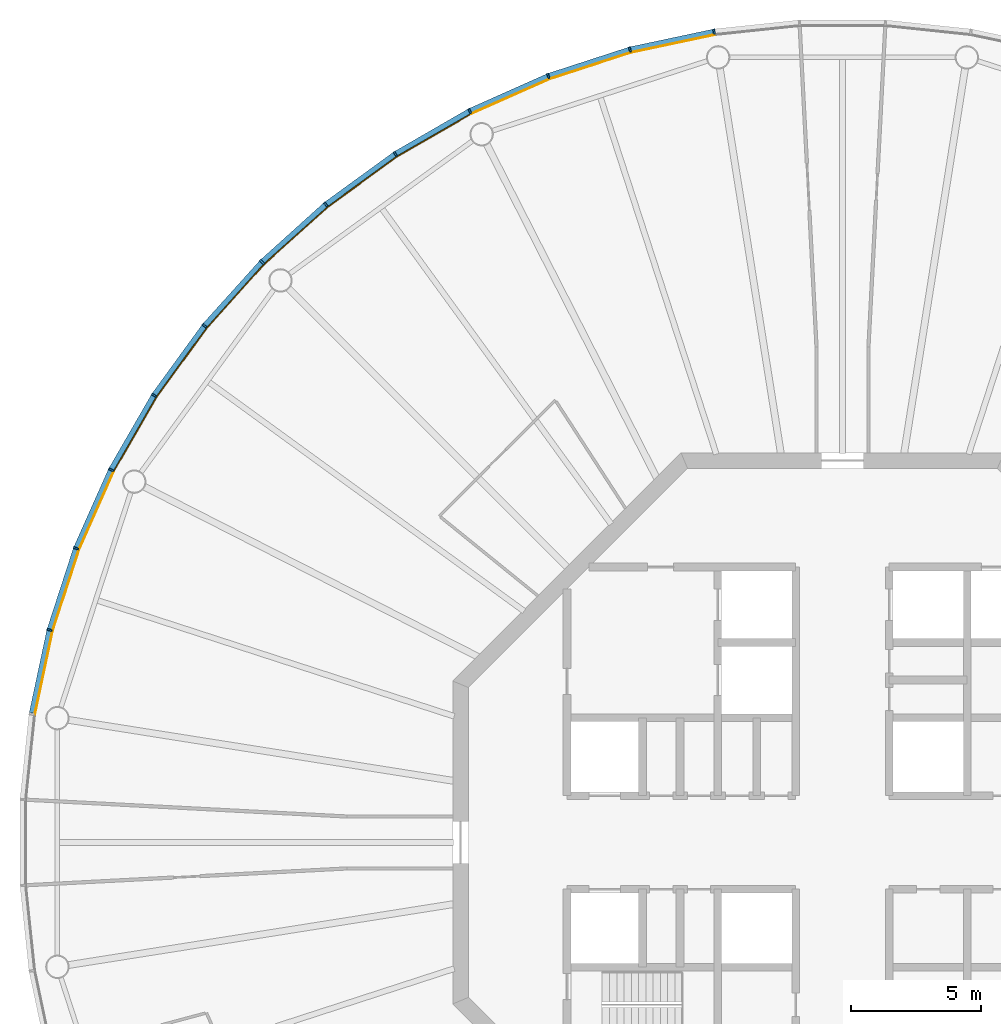
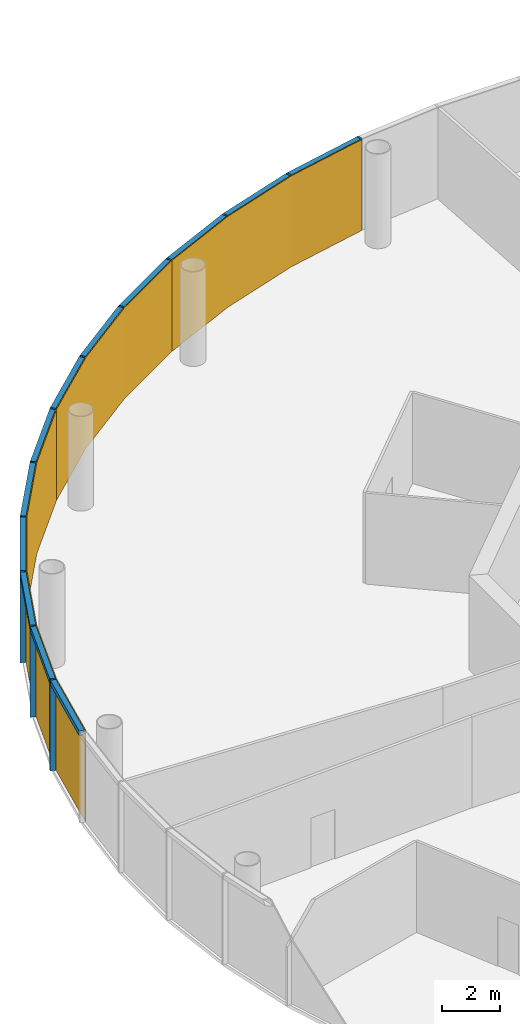
# One storey, part 10 of 13: 24 members, 4 curtain walls.
"""IFC4 building model written with IfcOpenShell, lengths in metres."""

from ifc_helpers import new_model, si_unit, direction, frame, origin, origin_2d, place, context, subcontext, project, spatial, polyline, rectangle, outline, extrude, material, layer, layer_set, material_profile, profile_set, type_object, element, aggregate, save


model = new_model("IFC4")

# Units and contexts
model_context = context("Model", 3, precision=1e-05, world=origin(), true_north=direction((0.0, 1.0)))
body_context = subcontext(model_context, "Body", "Model", "MODEL_VIEW")
ifc_project = project(units=[si_unit("LENGTHUNIT", "METRE"), si_unit("AREAUNIT", "SQUARE_METRE"), si_unit("VOLUMEUNIT", "CUBIC_METRE"), si_unit("PLANEANGLEUNIT", "RADIAN"), si_unit("MASSUNIT", "GRAM", prefix="KILO")], contexts=[model_context])

# Member
ifc_material_1 = material(Name="Anodised aluminium", Category="aluminium")
ifc_material_profile_1 = material_profile(ifc_material_1, rectangle(XDim=0.070068359375, YDim=0.205078125, at=origin_2d()), Name="Mullion 70 x 205 mm anodised aluminium")
ifc_profile_set_1 = profile_set([ifc_material_profile_1], Name="Anodised aluminium")
member_type_1 = type_object("IfcMemberType", Name="Mullion 70 x 205 mm anodised aluminium", PredefinedType="MULLION", material=ifc_profile_set_1)
site_placement = place(None, origin())
building_placement = place(site_placement, origin())
storey_placement = place(building_placement, frame((0.0, 0.0, 376.0)))
member_1_placement = place(storey_placement, frame((85.056396484375, 111.21337890625, 0.0), z_axis=(0.0, 0.0, 1.0), x_axis=(-0.987688340595, -0.15643446504, 0.0)))
member_1 = element("IfcMember", 1, at=member_1_placement, type_object=member_type_1, Name="MULLION L87-15", PredefinedType="MULLION", context=body_context, shape_type="SweptSolid", body=[
    extrude(rectangle(XDim=0.070068359375, YDim=0.205078125, at=origin_2d()), origin(), (0.0, 0.0, 1.0), 3.85009765625),
])

member_2_placement = place(storey_placement, frame((81.820556640625, 110.525634765625, 0.0), z_axis=(0.0, 0.0, 1.0), x_axis=(-0.965925826289, -0.258819045103, 0.0)))
member_2 = element("IfcMember", 2, at=member_2_placement, type_object=member_type_1, Name="MULLION L87-16", PredefinedType="MULLION", context=body_context, shape_type="SweptSolid", body=[
    extrude(rectangle(XDim=0.070068359375, YDim=0.205078125, at=origin_2d()), origin(), (0.0, 0.0, 1.0), 3.85009765625),
])

member_3_placement = place(storey_placement, frame((78.674560546875, 109.50341796875, 0.0), z_axis=(0.0, 0.0, 1.0), x_axis=(-0.933580426497, -0.358367949545, 0.0)))
member_3 = element("IfcMember", 3, at=member_3_placement, type_object=member_type_1, Name="MULLION L87-17", PredefinedType="MULLION", context=body_context, shape_type="SweptSolid", body=[
    extrude(rectangle(XDim=0.070068359375, YDim=0.205078125, at=origin_2d()), origin(), (0.0, 0.0, 1.0), 3.85009765625),
])

member_4_placement = place(storey_placement, frame((75.65283203125, 108.157958984375, 0.0), z_axis=(0.0, 0.0, 1.0), x_axis=(-0.891006524188, -0.45399049974, 0.0)))
member_4 = element("IfcMember", 4, at=member_4_placement, type_object=member_type_1, Name="MULLION L87-18", PredefinedType="MULLION", context=body_context, shape_type="SweptSolid", body=[
    extrude(rectangle(XDim=0.070068359375, YDim=0.205078125, at=origin_2d()), origin(), (0.0, 0.0, 1.0), 3.85009765625),
])

member_5_placement = place(storey_placement, frame((72.7880859375, 106.504150390625, 0.0), z_axis=(0.0, 0.0, 1.0), x_axis=(-0.838670567945, -0.544639035015, 0.0)))
member_5 = element("IfcMember", 5, at=member_5_placement, type_object=member_type_1, Name="MULLION L87-19", PredefinedType="MULLION", context=body_context, shape_type="SweptSolid", body=[
    extrude(rectangle(XDim=0.070068359375, YDim=0.205078125, at=origin_2d()), origin(), (0.0, 0.0, 1.0), 3.85009765625),
])

member_6_placement = place(storey_placement, frame((70.11181640625, 104.559814453125, 0.0), z_axis=(0.0, 0.0, 1.0), x_axis=(-0.777145961457, -0.62932039105, 0.0)))
member_6 = element("IfcMember", 6, at=member_6_placement, type_object=member_type_1, Name="MULLION L87-20", PredefinedType="MULLION", context=body_context, shape_type="SweptSolid", body=[
    extrude(rectangle(XDim=0.070068359375, YDim=0.205078125, at=origin_2d()), origin(), (0.0, 0.0, 1.0), 3.85009765625),
])

member_7_placement = place(storey_placement, frame((67.653564453125, 102.346435546875, 0.0), z_axis=(0.0, 0.0, 1.0), x_axis=(-0.707106781187, -0.707106781187, 0.0)))
member_7 = element("IfcMember", 7, at=member_7_placement, type_object=member_type_1, Name="MULLION L87-21", PredefinedType="MULLION", context=body_context, shape_type="SweptSolid", body=[
    extrude(rectangle(XDim=0.070068359375, YDim=0.205078125, at=origin_2d()), origin(), (0.0, 0.0, 1.0), 3.85009765625),
])

member_8_placement = place(storey_placement, frame((65.440185546875, 99.88818359375, 0.0), z_axis=(0.0, 0.0, 1.0), x_axis=(-0.62932039105, -0.777145961457, 0.0)))
member_8 = element("IfcMember", 8, at=member_8_placement, type_object=member_type_1, Name="MULLION L87-22", PredefinedType="MULLION", context=body_context, shape_type="SweptSolid", body=[
    extrude(rectangle(XDim=0.070068359375, YDim=0.205078125, at=origin_2d()), origin(), (0.0, 0.0, 1.0), 3.85009765625),
])

member_9_placement = place(storey_placement, frame((63.495849609375, 97.2119140625, 0.0), z_axis=(0.0, 0.0, 1.0), x_axis=(-0.544639035015, -0.838670567945, 0.0)))
member_9 = element("IfcMember", 9, at=member_9_placement, type_object=member_type_1, Name="MULLION L87-23", PredefinedType="MULLION", context=body_context, shape_type="SweptSolid", body=[
    extrude(rectangle(XDim=0.070068359375, YDim=0.205078125, at=origin_2d()), origin(), (0.0, 0.0, 1.0), 3.85009765625),
])

member_10_placement = place(storey_placement, frame((61.842041015625, 94.34716796875, 0.0), z_axis=(0.0, 0.0, 1.0), x_axis=(-0.45399049974, -0.891006524188, 0.0)))
member_10 = element("IfcMember", 10, at=member_10_placement, type_object=member_type_1, Name="MULLION L87-24", PredefinedType="MULLION", context=body_context, shape_type="SweptSolid", body=[
    extrude(rectangle(XDim=0.070068359375, YDim=0.205078125, at=origin_2d()), origin(), (0.0, 0.0, 1.0), 3.85009765625),
])

member_11_placement = place(storey_placement, frame((60.49658203125, 91.325439453125, 0.0), z_axis=(0.0, 0.0, 1.0), x_axis=(-0.358367949545, -0.933580426497, 0.0)))
member_11 = element("IfcMember", 11, at=member_11_placement, type_object=member_type_1, Name="MULLION L87-25", PredefinedType="MULLION", context=body_context, shape_type="SweptSolid", body=[
    extrude(rectangle(XDim=0.070068359375, YDim=0.205078125, at=origin_2d()), origin(), (0.0, 0.0, 1.0), 3.85009765625),
])

member_12_placement = place(storey_placement, frame((59.474365234375, 88.179443359375, 0.0), z_axis=(0.0, 0.0, 1.0), x_axis=(-0.258819045103, -0.965925826289, 0.0)))
member_12 = element("IfcMember", 12, at=member_12_placement, type_object=member_type_1, Name="MULLION L87-26", PredefinedType="MULLION", context=body_context, shape_type="SweptSolid", body=[
    extrude(rectangle(XDim=0.070068359375, YDim=0.205078125, at=origin_2d()), origin(), (0.0, 0.0, 1.0), 3.85009765625),
])

ifc_material_2 = material(Name="Anodised aluminium", Category="aluminium")
ifc_material_profile_2 = material_profile(ifc_material_2, rectangle(XDim=0.205078125, YDim=0.195068359375, at=origin_2d()), Name="Transom 195 x 205 mm anodised aluminium")
ifc_profile_set_2 = profile_set([ifc_material_profile_2], Name="Anodised aluminium")
member_type_2 = type_object("IfcMemberType", Name="Transom 195 x 205 mm anodised aluminium", PredefinedType="USERDEFINED", material=ifc_profile_set_2)
member_13_placement = place(storey_placement, frame((85.016845703125, 111.205078125, 3.75244140625), z_axis=(-0.978153082647, -0.207885898771, 0.0), x_axis=(0.207885898771, -0.978153082647, 0.0)))
member_13 = element("IfcMember", 13, at=member_13_placement, type_object=member_type_2, Name="TRANSOM L87-15", ObjectType="TRANSOM", PredefinedType="USERDEFINED", context=body_context, shape_type="SweptSolid", body=[
    extrude(rectangle(XDim=0.205078125, YDim=0.195068359375, at=origin_2d()), origin(), (0.0, 0.0, 1.0), 3.227294921875),
])

member_14_placement = place(storey_placement, frame((81.7822265625, 110.513427734375, 3.75244140625), z_axis=(-0.951046855117, -0.309046726844, 0.0), x_axis=(0.309046726844, -0.951046855117, 0.0)))
member_14 = element("IfcMember", 14, at=member_14_placement, type_object=member_type_2, Name="TRANSOM L87-16", ObjectType="TRANSOM", PredefinedType="USERDEFINED", context=body_context, shape_type="SweptSolid", body=[
    extrude(rectangle(XDim=0.205078125, YDim=0.195068359375, at=origin_2d()), origin(), (0.0, 0.0, 1.0), 3.22705078125),
])

member_15_placement = place(storey_placement, frame((78.6376953125, 109.4873046875, 3.75244140625), z_axis=(-0.913521178731, -0.406791170024, 0.0), x_axis=(0.406791170024, -0.913521178731, 0.0)))
member_15 = element("IfcMember", 15, at=member_15_placement, type_object=member_type_2, Name="TRANSOM L87-17", ObjectType="TRANSOM", PredefinedType="USERDEFINED", context=body_context, shape_type="SweptSolid", body=[
    extrude(rectangle(XDim=0.205078125, YDim=0.195068359375, at=origin_2d()), origin(), (0.0, 0.0, 1.0), 3.22705078125),
])

member_16_placement = place(storey_placement, frame((75.61767578125, 108.137939453125, 3.75244140625), z_axis=(-0.866023062494, -0.500004055213, 0.0), x_axis=(0.500004055213, -0.866023062494, 0.0)))
member_16 = element("IfcMember", 16, at=member_16_placement, type_object=member_type_2, Name="TRANSOM L87-18", ObjectType="TRANSOM", PredefinedType="USERDEFINED", context=body_context, shape_type="SweptSolid", body=[
    extrude(rectangle(XDim=0.205078125, YDim=0.195068359375, at=origin_2d()), origin(), (0.0, 0.0, 1.0), 3.22705078125),
])

member_17_placement = place(storey_placement, frame((72.75537109375, 106.48046875, 3.75244140625), z_axis=(-0.809004252048, -0.587802790201, 0.0), x_axis=(0.587802790201, -0.809004252048, 0.0)))
member_17 = element("IfcMember", 17, at=member_17_placement, type_object=member_type_2, Name="TRANSOM L87-19", ObjectType="TRANSOM", PredefinedType="USERDEFINED", context=body_context, shape_type="SweptSolid", body=[
    extrude(rectangle(XDim=0.205078125, YDim=0.195068359375, at=origin_2d()), origin(), (0.0, 0.0, 1.0), 3.227294921875),
])

member_18_placement = place(storey_placement, frame((70.081787109375, 104.532958984375, 3.75244140625), z_axis=(-0.743132370743, -0.669144438484, 0.0), x_axis=(0.669144438484, -0.743132370743, 0.0)))
member_18 = element("IfcMember", 18, at=member_18_placement, type_object=member_type_2, Name="TRANSOM L87-20", ObjectType="TRANSOM", PredefinedType="USERDEFINED", context=body_context, shape_type="SweptSolid", body=[
    extrude(rectangle(XDim=0.205078125, YDim=0.195068359375, at=origin_2d()), origin(), (0.0, 0.0, 1.0), 3.22705078125),
])

member_19_placement = place(storey_placement, frame((67.62646484375, 102.31640625, 3.75244140625), z_axis=(-0.669144438484, -0.743132370743, 0.0), x_axis=(0.743132370743, -0.669144438484, 0.0)))
member_19 = element("IfcMember", 19, at=member_19_placement, type_object=member_type_2, Name="TRANSOM L87-21", ObjectType="TRANSOM", PredefinedType="USERDEFINED", context=body_context, shape_type="SweptSolid", body=[
    extrude(rectangle(XDim=0.205078125, YDim=0.195068359375, at=origin_2d()), origin(), (0.0, 0.0, 1.0), 3.22705078125),
])

member_20_placement = place(storey_placement, frame((65.41650390625, 99.85546875, 3.75244140625), z_axis=(-0.587802790201, -0.809004252048, 0.0), x_axis=(0.809004252048, -0.587802790201, 0.0)))
member_20 = element("IfcMember", 20, at=member_20_placement, type_object=member_type_2, Name="TRANSOM L87-22", ObjectType="TRANSOM", PredefinedType="USERDEFINED", context=body_context, shape_type="SweptSolid", body=[
    extrude(rectangle(XDim=0.205078125, YDim=0.195068359375, at=origin_2d()), origin(), (0.0, 0.0, 1.0), 3.227294921875),
])

member_21_placement = place(storey_placement, frame((63.4755859375, 97.177001953125, 3.75244140625), z_axis=(-0.500004055213, -0.866023062494, 0.0), x_axis=(0.866023062494, -0.500004055213, 0.0)))
member_21 = element("IfcMember", 21, at=member_21_placement, type_object=member_type_2, Name="TRANSOM L87-23", ObjectType="TRANSOM", PredefinedType="USERDEFINED", context=body_context, shape_type="SweptSolid", body=[
    extrude(rectangle(XDim=0.205078125, YDim=0.195068359375, at=origin_2d()), origin(), (0.0, 0.0, 1.0), 3.22705078125),
])

member_22_placement = place(storey_placement, frame((61.825439453125, 94.310302734375, 3.75244140625), z_axis=(-0.406791170024, -0.913521178731, 0.0), x_axis=(0.913521178731, -0.406791170024, 0.0)))
member_22 = element("IfcMember", 22, at=member_22_placement, type_object=member_type_2, Name="TRANSOM L87-24", ObjectType="TRANSOM", PredefinedType="USERDEFINED", context=body_context, shape_type="SweptSolid", body=[
    extrude(rectangle(XDim=0.205078125, YDim=0.195068359375, at=origin_2d()), origin(), (0.0, 0.0, 1.0), 3.22705078125),
])

member_23_placement = place(storey_placement, frame((60.48388671875, 91.286865234375, 3.75244140625), z_axis=(-0.309046726844, -0.951046855117, 0.0), x_axis=(0.951046855117, -0.309046726844, 0.0)))
member_23 = element("IfcMember", 23, at=member_23_placement, type_object=member_type_2, Name="TRANSOM L87-25", ObjectType="TRANSOM", PredefinedType="USERDEFINED", context=body_context, shape_type="SweptSolid", body=[
    extrude(rectangle(XDim=0.205078125, YDim=0.195068359375, at=origin_2d()), origin(), (0.0, 0.0, 1.0), 3.22705078125),
])

member_24_placement = place(storey_placement, frame((59.4658203125, 88.139892578125, 3.75244140625), z_axis=(-0.207885898771, -0.978153082647, 0.0), x_axis=(0.978153082647, -0.207885898771, 0.0)))
member_24 = element("IfcMember", 24, at=member_24_placement, type_object=member_type_2, Name="TRANSOM L87-26", ObjectType="TRANSOM", PredefinedType="USERDEFINED", context=body_context, shape_type="SweptSolid", body=[
    extrude(rectangle(XDim=0.205078125, YDim=0.195068359375, at=origin_2d()), origin(), (0.0, 0.0, 1.0), 3.227294921875),
])

# Site, building, storey
site = spatial("IfcSite", under=ifc_project, at=site_placement, CompositionType="ELEMENT")
building = spatial("IfcBuilding", under=site, at=building_placement, Name="Entoto Ring Tower", CompositionType="ELEMENT")
storey = spatial("IfcBuildingStorey", under=building, at=storey_placement, Name="L87", CompositionType="ELEMENT", Elevation=376.0)

# Curtain wall
ifc_material_3 = material(Name="Clear low-iron glass", Category="glass")
ifc_layer = layer(ifc_material_3, 0.035888671875)
ifc_layer_set = layer_set([ifc_layer], Name="Clear low-iron glass")
curtain_wall_type = type_object("IfcCurtainWallType", Name="Curtain wall system CW6 glazing 36 mm", PredefinedType="NOTDEFINED", material=ifc_layer_set)
curtain_wall_1_placement = place(storey_placement, origin())
curtain_wall_1 = element("IfcCurtainWall", 25, at=curtain_wall_1_placement, inside=storey, type_object=curtain_wall_type, Name="CW6 L87-06", PredefinedType="NOTDEFINED", context=body_context, shape_type="SweptSolid", body=[
    extrude(outline(polyline([(85.072265625, 111.1123046875), (81.84716796875, 110.4267578125), (78.71142578125, 109.40771484375), (75.69921875, 108.066650390625), (75.715576171875, 108.03466796875), (78.724365234375, 109.3740234375), (81.8564453125, 110.391845703125), (85.077880859375, 111.07666015625), (85.072265625, 111.1123046875)])), origin(), (0.0, 0.0, 1.0), 3.85009765625),
])

aggregate(curtain_wall_1, [member_1, member_2, member_3, member_13, member_14, member_15])

curtain_wall_2_placement = place(storey_placement, origin())
curtain_wall_2 = element("IfcCurtainWall", 26, at=curtain_wall_2_placement, inside=storey, type_object=curtain_wall_type, Name="CW6 L87-07", PredefinedType="NOTDEFINED", context=body_context, shape_type="SweptSolid", body=[
    extrude(outline(polyline([(75.69921875, 108.066650390625), (72.84375, 106.418212890625), (70.176513671875, 104.47998046875), (67.72607421875, 102.27392578125), (67.751708984375, 102.248291015625), (70.198974609375, 104.4521484375), (72.863525390625, 106.387939453125), (75.715576171875, 108.03466796875), (75.69921875, 108.066650390625)])), origin(), (0.0, 0.0, 1.0), 3.85009765625),
])

aggregate(curtain_wall_2, [member_4, member_5, member_6, member_16, member_17, member_18])

curtain_wall_3_placement = place(storey_placement, origin())
curtain_wall_3 = element("IfcCurtainWall", 27, at=curtain_wall_3_placement, inside=storey, type_object=curtain_wall_type, Name="CW6 L87-08", PredefinedType="NOTDEFINED", context=body_context, shape_type="SweptSolid", body=[
    extrude(outline(polyline([(67.72607421875, 102.27392578125), (65.52001953125, 99.823486328125), (63.581787109375, 97.15625), (61.933349609375, 94.30078125), (61.96533203125, 94.284423828125), (63.612060546875, 97.136474609375), (65.5478515625, 99.801025390625), (67.751708984375, 102.248291015625), (67.72607421875, 102.27392578125)])), origin(), (0.0, 0.0, 1.0), 3.85009765625),
])

aggregate(curtain_wall_3, [member_7, member_8, member_9, member_19, member_20, member_21])

curtain_wall_4_placement = place(storey_placement, origin())
curtain_wall_4 = element("IfcCurtainWall", 28, at=curtain_wall_4_placement, inside=storey, type_object=curtain_wall_type, Name="CW6 L87-09", PredefinedType="NOTDEFINED", context=body_context, shape_type="SweptSolid", body=[
    extrude(outline(polyline([(61.933349609375, 94.30078125), (60.59228515625, 91.28857421875), (59.5732421875, 88.15283203125), (58.8876953125, 84.927734375), (58.92333984375, 84.922119140625), (59.608154296875, 88.1435546875), (60.6259765625, 91.275634765625), (61.96533203125, 94.284423828125), (61.933349609375, 94.30078125)])), origin(), (0.0, 0.0, 1.0), 3.85009765625),
])

aggregate(curtain_wall_4, [member_10, member_11, member_12, member_22, member_23, member_24])

save(model, "model.ifc")
